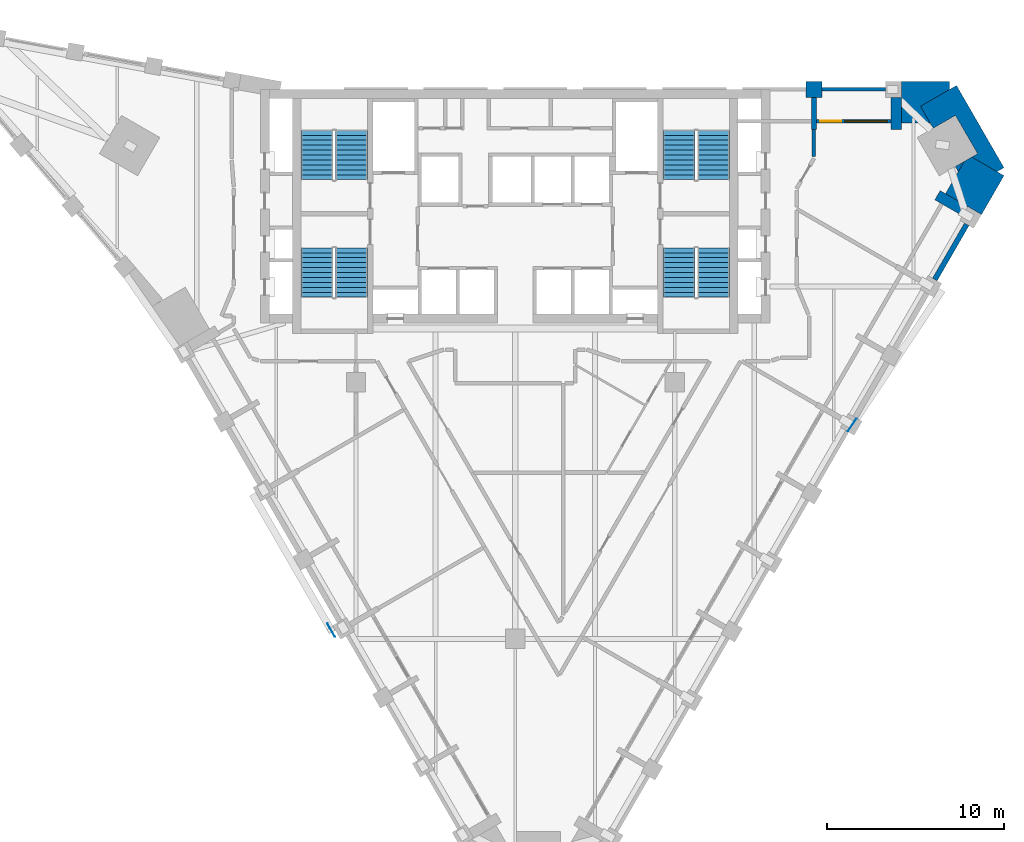
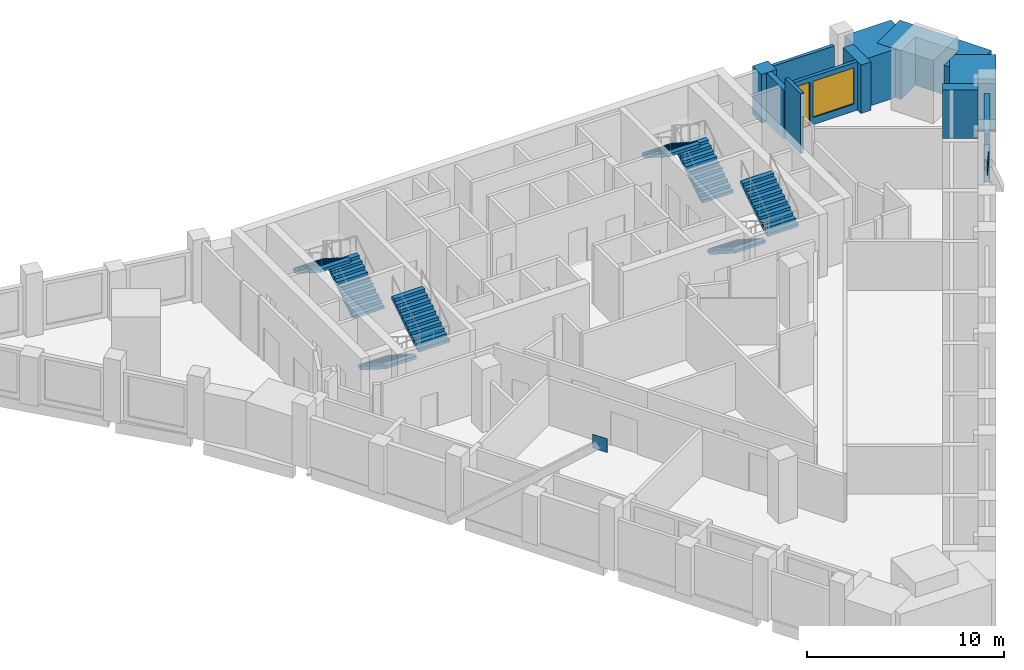
# One storey, part 8 of 9: 12 walls, 8 stair flights, 2 discrete accessories, 1 door, 1 window, 2 openings, 4 elements without a shape of their own.
"""IFC4 building model written with IfcOpenShell, lengths in metres."""

from ifc_helpers import new_model, si_unit, direction, frame, frame_2d, origin, origin_2d, place, context, subcontext, project, spatial, polyline, rectangle, outline, extrude, faceted_brep, source, transform, mapped, material, layer, layer_set, type_object, element, fill, aggregate, save


model = new_model("IFC4")

# Units and contexts
model_context = context("Model", 3, precision=1e-05, world=origin(), true_north=direction((0.0, 1.0)))
body_context = subcontext(model_context, "Body", "Model", "MODEL_VIEW")
ifc_project = project(units=[si_unit("LENGTHUNIT", "METRE"), si_unit("AREAUNIT", "SQUARE_METRE"), si_unit("VOLUMEUNIT", "CUBIC_METRE"), si_unit("PLANEANGLEUNIT", "RADIAN"), si_unit("MASSUNIT", "GRAM", prefix="KILO")], contexts=[model_context])

# Site, building, storey
site_placement = place(None, origin())
site = spatial("IfcSite", under=ifc_project, at=site_placement, CompositionType="ELEMENT")
building_placement = place(site_placement, origin())
building = spatial("IfcBuilding", under=site, at=building_placement, Name="Calabash Gate Tower", CompositionType="ELEMENT")
storey_placement = place(building_placement, frame((0.0, 0.0, 204.199951171875)))
storey = spatial("IfcBuildingStorey", under=building, at=storey_placement, Name="L48", CompositionType="ELEMENT", Elevation=204.199951171875)

# Walls
ifc_material_1 = material(Name="Terracotta brick masonry, exposed face", Category="masonry")
ifc_layer_1 = layer(ifc_material_1, 2.35009765625)
ifc_layer_set_1 = layer_set([ifc_layer_1], Name="Brick corner mass wall 2350")
wall_type_1 = type_object("IfcWallType", Name="Brick corner mass wall 2350", PredefinedType="SOLIDWALL", material=ifc_layer_set_1)
wall_1_placement = place(storey_placement, origin())
element("IfcWall", 1, at=wall_1_placement, inside=storey, type_object=wall_type_1, Name="Brick corner pier S13 3a", PredefinedType="SOLIDWALL", context=body_context, shape_type="SweptSolid", body=[
    extrude(outline(polyline([(25.370361328125, 14.987060546875), (24.3154296875, 13.159912109375), (26.3505859375, 11.98486328125), (27.61865234375, 14.181396484375), (25.796630859375, 15.233154296875), (25.370361328125, 14.987060546875)])), origin(), (0.0, 0.0, 1.0), 3.0),
])
wall_2_placement = place(storey_placement, origin())
element("IfcWall", 2, at=wall_2_placement, inside=storey, type_object=wall_type_1, Name="Brick corner pier S13 3ba", PredefinedType="SOLIDWALL", context=body_context, shape_type="SweptSolid", body=[
    extrude(outline(polyline([(25.03515625, 14.40625), (25.370361328125, 14.987060546875), (24.867431640625, 14.69677734375), (25.03515625, 14.40625)])), origin(), (0.0, 0.0, 1.0), 3.0),
])
wall_3_placement = place(storey_placement, origin())
element("IfcWall", 3, at=wall_3_placement, inside=storey, type_object=wall_type_1, Name="Brick corner pier S13 3bb", PredefinedType="SOLIDWALL", context=body_context, shape_type="SweptSolid", body=[
    extrude(outline(polyline([(22.901123046875, 18.1025390625), (23.617431640625, 16.86181640625), (24.87451171875, 17.587646484375), (26.12451171875, 15.42236328125), (25.796630859375, 15.233154296875), (27.22900390625, 14.40625), (27.61865234375, 14.63134765625), (24.936279296875, 19.277587890625), (22.901123046875, 18.1025390625)])), origin(), (0.0, 0.0, 1.0), 3.0),
])
wall_4_placement = place(storey_placement, origin())
element("IfcWall", 4, at=wall_4_placement, inside=storey, type_object=wall_type_1, Name="Brick corner pier S13 3c", PredefinedType="SOLIDWALL", context=body_context, shape_type="SweptSolid", body=[
    extrude(outline(polyline([(21.827880859375, 18.60302734375), (21.827880859375, 17.152587890625), (23.449462890625, 17.152587890625), (22.901123046875, 18.1025390625), (24.54638671875, 19.052490234375), (24.54638671875, 19.50244140625), (21.827880859375, 19.50244140625), (21.827880859375, 18.60302734375), (21.827880859375, 18.60302734375)])), origin(), (0.0, 0.0, 1.0), 3.0),
])
ifc_material_2 = material(Name="Terracotta brick masonry, exposed face", Category="masonry")
ifc_layer_2 = layer(ifc_material_2, 0.89990234375)
ifc_layer_set_2 = layer_set([ifc_layer_2], Name="Brick end wall 900")
wall_type_2 = type_object("IfcWallType", Name="Brick end wall 900", PredefinedType="SOLIDWALL", material=ifc_layer_set_2)
wall_5_placement = place(storey_placement, origin())
element("IfcWall", 5, at=wall_5_placement, inside=storey, type_object=wall_type_2, Name="Brick pier S13 N4.1", PredefinedType="SOLIDWALL", context=body_context, shape_type="SweptSolid", body=[
    extrude(outline(polyline([(17.327880859375, 19.50244140625), (16.427734375, 19.50244140625), (16.427734375, 18.6025390625), (17.327880859375, 18.6025390625), (17.327880859375, 19.50244140625)])), origin(), (0.0, 0.0, 1.0), 3.0),
])
ifc_material_3 = material(Name="Terracotta brick masonry, exposed face", Category="masonry")
ifc_layer_3 = layer(ifc_material_3, 0.300048828125)
ifc_layer_set_3 = layer_set([ifc_layer_3], Name="Brick infill panel wall 300")
wall_type_3 = type_object("IfcWallType", Name="Brick infill panel wall 300", PredefinedType="SOLIDWALL", material=ifc_layer_set_3)
wall_6_placement = place(storey_placement, frame((23.7109375, 8.312744140625, 0.0), z_axis=(0.0, 0.0, 1.0), x_axis=(0.500012057535, 0.866018442252, 0.0)))
element("IfcWall", 6, at=wall_6_placement, inside=storey, type_object=wall_type_3, Name="Brick panel S13 SE2.9", PredefinedType="SOLIDWALL", context=body_context, shape_type="SweptSolid", body=[
    extrude(rectangle(XDim=3.60009765625, YDim=0.300048828125, at=frame_2d((1.800048828125, 0.0))), origin(), (0.0, 0.0, 1.0), 3.0),
])
ifc_material_4 = material(Name="Terracotta brick masonry, exposed face", Category="masonry")
ifc_layer_4 = layer(ifc_material_4, 0.300048828125)
ifc_layer_set_4 = layer_set([ifc_layer_4], Name="Brick loggia cheek wall 300")
wall_type_4 = type_object("IfcWallType", Name="Brick loggia cheek wall 300", PredefinedType="SOLIDWALL", material=ifc_layer_set_4)
wall_7_placement = place(storey_placement, frame((25.421142578125, 12.175048828125, 0.0), z_axis=(0.0, 0.0, 1.0), x_axis=(-0.865989075817, 0.500062916607, 0.0)))
element("IfcWall", 7, at=wall_7_placement, inside=storey, type_object=wall_type_4, Name="Loggia cheek S13 SE2.9", PredefinedType="SOLIDWALL", context=body_context, shape_type="SweptSolid", body=[
    extrude(rectangle(XDim=1.800048828125, YDim=0.60009765625, at=frame_2d((0.89990234375, 0.0))), origin(), (0.0, 0.0, 1.0), 3.0),
])
wall_8_placement = place(storey_placement, origin())
element("IfcWall", 8, at=wall_8_placement, inside=storey, type_object=wall_type_4, Name="Loggia cheek S13 N4.0", PredefinedType="SOLIDWALL", context=body_context, shape_type="SweptSolid", body=[
    extrude(outline(polyline([(21.827880859375, 16.802490234375), (21.827880859375, 18.6025390625), (21.227783203125, 18.6025390625), (21.227783203125, 16.802490234375), (21.827880859375, 16.802490234375)])), origin(), (0.0, 0.0, 1.0), 3.0),
])
wall_9_placement = place(storey_placement, origin())
element("IfcWall", 9, at=wall_9_placement, inside=storey, type_object=wall_type_4, Name="Loggia cheek S13 N4.1", PredefinedType="SOLIDWALL", context=body_context, shape_type="SweptSolid", body=[
    extrude(outline(polyline([(17.02783203125, 18.6025390625), (16.727783203125, 18.6025390625), (16.727783203125, 16.802490234375), (17.02783203125, 16.802490234375), (17.02783203125, 18.6025390625)])), origin(), (0.0, 0.0, 1.0), 3.0),
])
ifc_material_5 = material(Name="Gypsum board on steel studs, mineral wool", Category="steel")
ifc_layer_5 = layer(ifc_material_5, 0.199951171875)
ifc_layer_set_5 = layer_set([ifc_layer_5], Name="Partition 200 gypsum board EI 60")
wall_type_5 = type_object("IfcWallType", Name="Partition 200 gypsum board EI 60", PredefinedType="PARTITIONING", material=ifc_layer_set_5)
wall_10_placement = place(storey_placement, frame((16.878173828125, 15.252197265625, 0.0), z_axis=(0.0, 0.0, 1.0), x_axis=(0.000157480313, 0.9999999876, 0.0)))
element("IfcWall", 10, at=wall_10_placement, inside=storey, type_object=wall_type_5, Name="Partition", PredefinedType="PARTITIONING", context=body_context, shape_type="SweptSolid", body=[
    extrude(rectangle(XDim=1.55029296875, YDim=0.199951171875, at=frame_2d((0.775146484375, 0.0))), origin(), (0.0, 0.0, 1.0), 3.72998046875),
])
ifc_material_6 = material(Name="Terracotta brick masonry, perforated", Category="masonry")
ifc_layer_6 = layer(ifc_material_6, 0.199951171875)
ifc_layer_set_6 = layer_set([ifc_layer_6], Name="Terracotta jaali screen A")
wall_type_6 = type_object("IfcWallType", Name="Terracotta jaali screen A", PredefinedType="SOLIDWALL", material=ifc_layer_set_6)
wall_11_placement = place(storey_placement, frame((20.927734375, 19.052490234375, 0.0), z_axis=(0.0, 0.0, 1.0), x_axis=(-1.0, 0.0, 0.0)))
element("IfcWall", 11, at=wall_11_placement, inside=storey, type_object=wall_type_6, Name="SCREEN A S13 N4.1", PredefinedType="SOLIDWALL", context=body_context, shape_type="SweptSolid", body=[
    extrude(rectangle(XDim=3.599853515625, YDim=0.199951171875, at=frame_2d((1.7998046875, 0.0))), origin(), (0.0, 0.0, 1.0), 3.0),
])

# Wall, openings, door, window
ifc_material_7 = material(Name="Aluminium framed window wall with insulated spandrel", Category="aluminium")
ifc_layer_7 = layer(ifc_material_7, 0.199951171875)
ifc_layer_set_7 = layer_set([ifc_layer_7], Name="Window wall 200")
wall_type_7 = type_object("IfcWallType", Name="Window wall 200", PredefinedType="ELEMENTEDWALL", material=ifc_layer_set_7)
wall_12_placement = place(storey_placement, frame((21.227783203125, 17.25244140625, 0.0), z_axis=(0.0, 0.0, 1.0), x_axis=(-1.0, 0.0, 0.0)))
wall_12 = element("IfcWall", 12, at=wall_12_placement, inside=storey, type_object=wall_type_7, Name="Window wall S13 N4.1", PredefinedType="ELEMENTEDWALL", context=body_context, shape_type="SweptSolid", body=[
    extrude(rectangle(XDim=4.199951171875, YDim=0.199951171875, at=frame_2d((2.10009765625, 0.0))), origin(), (0.0, 0.0, 1.0), 3.0),
])
opening_1_placement = place(wall_12_placement, frame((0.199951171875, 0.0, 0.449951171875)))
opening_1 = element("IfcOpeningElement", 13, at=opening_1_placement, cuts=wall_12, Name="Opening OW1", PredefinedType="OPENING", context=body_context, shape_type="SweptSolid", body=[
    extrude(rectangle(XDim=2.39990234375, YDim=2.25, at=frame_2d((1.199951171875, 1.125))), frame((0.0, 0.10986328125, 0.0), z_axis=(0.0, -1.0, 0.0), x_axis=(1.0, 0.0, 0.0)), (0.0, 0.0, 1.0), 0.219970703125),
])
opening_2_placement = place(wall_12_placement, frame((2.800048828125, 0.0, 0.0)))
opening_2 = element("IfcOpeningElement", 14, at=opening_2_placement, cuts=wall_12, Name="Opening O5-022", PredefinedType="OPENING", context=body_context, shape_type="SweptSolid", body=[
    extrude(rectangle(XDim=1.199951171875, YDim=2.699951171875, at=frame_2d((0.60009765625, 1.35009765625))), frame((0.0, 0.10986328125, 0.0), z_axis=(0.0, -1.0, 0.0), x_axis=(1.0, 0.0, 0.0)), (0.0, 0.0, 1.0), 0.219970703125),
])
ifc_material_8 = material(Name="Anodised aluminium frame, bronze finish, impact-rated laminated clear glazing", Category="aluminium")
door_type = type_object("IfcDoorType", Name="Loggia door DO1 1200x2700", OperationType="SLIDING_TO_LEFT", PredefinedType="DOOR", material=ifc_material_8)
door_placement = place(opening_2_placement, origin())
door = element("IfcDoor", 15, at=door_placement, inside=storey, type_object=door_type, Name="Loggia door S13 N4.1", OperationType="SINGLE_SWING_LEFT", OverallHeight=2.699951171875, OverallWidth=1.199951171875, PredefinedType="DOOR", context=body_context, shape_type="SweptSolid", body=[
    extrude(rectangle(XDim=1.199951171875, YDim=2.699951171875, at=frame_2d((0.60009765625, 1.35009765625))), frame((0.0, 0.02490234375, 0.0), z_axis=(0.0, -1.0, 0.0), x_axis=(1.0, 0.0, 0.0)), (0.0, 0.0, 1.0), 0.050048828125),
])
fill(opening_2, door)
ifc_material_9 = material(Name="Anodised aluminium frame, bronze finish, impact-rated laminated clear glazing", Category="aluminium")
window_type = type_object("IfcWindowType", Name="Window OW1 2400x2250", PartitioningType="DOUBLE_PANEL_VERTICAL", PredefinedType="WINDOW", material=ifc_material_9)
window_placement = place(opening_1_placement, origin())
window = element("IfcWindow", 16, at=window_placement, inside=storey, type_object=window_type, Name="Window OW1 S13 N4.1", OverallHeight=2.25, OverallWidth=2.39990234375, PartitioningType="SINGLE_PANEL", PredefinedType="WINDOW", context=body_context, shape_type="SweptSolid", body=[
    extrude(rectangle(XDim=2.39990234375, YDim=2.25, at=frame_2d((1.199951171875, 1.125))), frame((0.0, 0.030029296875, 0.0), z_axis=(0.0, -1.0, 0.0), x_axis=(1.0, 0.0, 0.0)), (0.0, 0.0, 1.0), 0.06005859375),
])
fill(opening_1, window)

# Stair, stair flights
ifc_material_10 = material(Name="Concrete C40/50", Category="concrete")
stair_type = type_object("IfcStairType", Name="Exit stair 22 risers of 177.3 mm", PredefinedType="HALF_TURN_STAIR", material=ifc_material_10)
stair_1_placement = place(storey_placement, origin())
stair_1 = element("IfcStair", 17, at=stair_1_placement, inside=storey, type_object=stair_type, Name="L48 Exit stair ST1", PredefinedType="HALF_TURN_STAIR")
ifc_material_11 = material(Name="Concrete C40/50", Category="concrete")
stair_flight_type = type_object("IfcStairFlightType", Name="Exit stair flight SFL", PredefinedType="STRAIGHT", material=ifc_material_11)
shared_shape = source(origin(), body_context, "Body", "Brep", [
    faceted_brep([(-0.0009765625, -0.89990234375, 0.0), (0.279541015625, -0.89990234375, 0.0), (2.791015625, -0.89990234375, 1.59521484375), (-0.0009765625, 0.89990234375, 0.0), (2.791015625, 0.89990234375, 1.59521484375), (0.279541015625, 0.89990234375, 0.0), (2.791015625, -0.89990234375, 1.78466796875), (2.7900390625, -0.89990234375, 1.78466796875), (2.7900390625, 0.89990234375, 1.78466796875), (2.791015625, 0.89990234375, 1.78466796875), (2.7900390625, -0.89990234375, 1.772705078125), (2.7900390625, 0.89990234375, 1.772705078125), (2.510986328125, -0.89990234375, 1.772705078125), (2.510986328125, 0.89990234375, 1.772705078125), (2.510986328125, -0.89990234375, 1.595458984375), (2.510986328125, 0.89990234375, 1.595458984375), (2.23193359375, -0.89990234375, 1.595458984375), (2.23193359375, 0.89990234375, 1.595458984375), (2.23193359375, -0.89990234375, 1.418212890625), (2.23193359375, 0.89990234375, 1.418212890625), (1.952880859375, -0.89990234375, 1.418212890625), (1.952880859375, -0.89990234375, 1.240966796875), (1.952880859375, 0.89990234375, 1.240966796875), (1.952880859375, 0.89990234375, 1.418212890625), (1.674072265625, -0.89990234375, 1.240966796875), (1.674072265625, -0.89990234375, 1.063720703125), (1.674072265625, 0.89990234375, 1.063720703125), (1.674072265625, 0.89990234375, 1.240966796875), (1.39501953125, -0.89990234375, 1.063720703125), (1.39501953125, -0.89990234375, 0.886474609375), (1.39501953125, 0.89990234375, 0.886474609375), (1.39501953125, 0.89990234375, 1.063720703125), (1.115966796875, -0.89990234375, 0.886474609375), (1.115966796875, -0.89990234375, 0.708984375), (1.115966796875, 0.89990234375, 0.708984375), (1.115966796875, 0.89990234375, 0.886474609375), (0.8369140625, -0.89990234375, 0.708984375), (0.8369140625, -0.89990234375, 0.53173828125), (0.8369140625, 0.89990234375, 0.53173828125), (0.8369140625, 0.89990234375, 0.708984375), (0.55810546875, -0.89990234375, 0.53173828125), (0.55810546875, -0.89990234375, 0.3544921875), (0.55810546875, 0.89990234375, 0.3544921875), (0.55810546875, 0.89990234375, 0.53173828125), (0.279052734375, -0.89990234375, 0.3544921875), (0.279052734375, -0.89990234375, 0.17724609375), (0.279052734375, 0.89990234375, 0.17724609375), (0.279052734375, 0.89990234375, 0.3544921875), (-0.0009765625, -0.89990234375, 0.17724609375), (-0.0009765625, 0.89990234375, 0.17724609375), (0.279541015625, -0.360107421875, 0.0), (2.791015625, -0.360107421875, 1.59521484375), (0.279541015625, 0.0, 0.0), (2.791015625, 0.0, 1.59521484375), (0.279541015625, 0.360107421875, 0.0), (2.791015625, 0.360107421875, 1.59521484375), (2.791015625, -0.360107421875, 1.78466796875), (2.791015625, 0.0, 1.78466796875), (2.791015625, 0.360107421875, 1.78466796875), (2.7900390625, -0.360107421875, 1.78466796875), (2.7900390625, 0.0, 1.78466796875), (2.7900390625, 0.360107421875, 1.78466796875), (2.7900390625, -0.360107421875, 1.772705078125), (2.7900390625, 0.0, 1.772705078125), (2.7900390625, 0.360107421875, 1.772705078125), (2.510986328125, -0.360107421875, 1.772705078125), (2.510986328125, 0.0, 1.772705078125), (2.510986328125, 0.360107421875, 1.772705078125), (2.510986328125, -0.360107421875, 1.595458984375), (2.510986328125, 0.0, 1.595458984375), (2.510986328125, 0.360107421875, 1.595458984375), (2.23193359375, -0.360107421875, 1.595458984375), (2.23193359375, 0.0, 1.595458984375), (2.23193359375, 0.360107421875, 1.595458984375), (2.23193359375, -0.360107421875, 1.418212890625), (2.23193359375, 0.0, 1.418212890625), (2.23193359375, 0.360107421875, 1.418212890625), (1.952880859375, -0.360107421875, 1.418212890625), (1.952880859375, 0.0, 1.418212890625), (1.952880859375, 0.360107421875, 1.418212890625), (1.952880859375, -0.360107421875, 1.240966796875), (1.952880859375, 0.0, 1.240966796875), (1.952880859375, 0.360107421875, 1.240966796875), (1.674072265625, -0.360107421875, 1.240966796875), (1.674072265625, 0.0, 1.240966796875), (1.674072265625, 0.360107421875, 1.240966796875), (1.674072265625, -0.360107421875, 1.063720703125), (1.674072265625, 0.0, 1.063720703125), (1.674072265625, 0.360107421875, 1.063720703125), (1.39501953125, -0.360107421875, 1.063720703125), (1.39501953125, 0.0, 1.063720703125), (1.39501953125, 0.360107421875, 1.063720703125), (1.39501953125, -0.360107421875, 0.886474609375), (1.39501953125, 0.0, 0.886474609375), (1.39501953125, 0.360107421875, 0.886474609375), (1.115966796875, -0.360107421875, 0.886474609375), (1.115966796875, 0.0, 0.886474609375), (1.115966796875, 0.360107421875, 0.886474609375), (1.115966796875, -0.360107421875, 0.708984375), (1.115966796875, 0.0, 0.708984375), (1.115966796875, 0.360107421875, 0.708984375), (0.8369140625, -0.360107421875, 0.708984375), (0.8369140625, 0.0, 0.708984375), (0.8369140625, 0.360107421875, 0.708984375), (0.8369140625, -0.360107421875, 0.53173828125), (0.8369140625, 0.0, 0.53173828125), (0.8369140625, 0.360107421875, 0.53173828125), (0.55810546875, -0.360107421875, 0.53173828125), (0.55810546875, 0.0, 0.53173828125), (0.55810546875, 0.360107421875, 0.53173828125), (0.55810546875, -0.360107421875, 0.3544921875), (0.55810546875, 0.0, 0.3544921875), (0.55810546875, 0.360107421875, 0.3544921875), (0.279052734375, -0.360107421875, 0.3544921875), (0.279052734375, 0.0, 0.3544921875), (0.279052734375, 0.360107421875, 0.3544921875), (0.279052734375, -0.360107421875, 0.17724609375), (0.279052734375, 0.0, 0.17724609375), (0.279052734375, 0.360107421875, 0.17724609375), (-0.0009765625, -0.360107421875, 0.17724609375), (-0.0009765625, 0.0, 0.17724609375), (-0.0009765625, 0.360107421875, 0.17724609375), (-0.0009765625, -0.360107421875, 0.0), (-0.0009765625, 0.0, 0.0), (-0.0009765625, 0.360107421875, 0.0)], [[[0, 1, 2]], [[3, 4, 5]], [[2, 6, 7]], [[4, 8, 9]], [[2, 7, 10]], [[4, 11, 8]], [[2, 10, 12]], [[4, 13, 11]], [[2, 12, 14]], [[4, 15, 13]], [[2, 14, 16]], [[4, 17, 15]], [[2, 16, 18]], [[4, 19, 17]], [[18, 20, 21]], [[19, 22, 23]], [[2, 18, 21]], [[4, 22, 19]], [[21, 24, 25]], [[22, 26, 27]], [[2, 21, 25]], [[4, 26, 22]], [[25, 28, 29]], [[26, 30, 31]], [[2, 25, 29]], [[4, 30, 26]], [[29, 32, 33]], [[30, 34, 35]], [[2, 29, 33]], [[4, 34, 30]], [[33, 36, 37]], [[34, 38, 39]], [[2, 33, 37]], [[4, 38, 34]], [[37, 40, 41]], [[38, 42, 43]], [[2, 37, 41]], [[4, 42, 38]], [[41, 44, 45]], [[42, 46, 47]], [[2, 41, 45]], [[4, 46, 42]], [[0, 2, 45]], [[3, 46, 4]], [[45, 48, 0]], [[46, 3, 49]], [[1, 50, 2]], [[50, 51, 2]], [[50, 52, 51]], [[52, 53, 51]], [[52, 54, 55]], [[52, 55, 53]], [[54, 5, 4]], [[54, 4, 55]], [[2, 51, 6]], [[51, 56, 6]], [[51, 53, 56]], [[53, 57, 56]], [[53, 55, 58]], [[53, 58, 57]], [[55, 4, 9]], [[55, 9, 58]], [[6, 56, 7]], [[56, 59, 7]], [[56, 57, 59]], [[57, 60, 59]], [[57, 58, 61]], [[57, 61, 60]], [[58, 9, 8]], [[58, 8, 61]], [[7, 59, 10]], [[59, 62, 10]], [[59, 60, 62]], [[60, 63, 62]], [[60, 61, 64]], [[60, 64, 63]], [[61, 8, 11]], [[61, 11, 64]], [[10, 62, 12]], [[62, 65, 12]], [[62, 63, 65]], [[63, 66, 65]], [[63, 64, 67]], [[63, 67, 66]], [[64, 11, 13]], [[64, 13, 67]], [[12, 65, 14]], [[65, 68, 14]], [[65, 66, 68]], [[66, 69, 68]], [[66, 67, 70]], [[66, 70, 69]], [[67, 13, 15]], [[67, 15, 70]], [[14, 68, 16]], [[68, 71, 16]], [[68, 69, 71]], [[69, 72, 71]], [[69, 70, 73]], [[69, 73, 72]], [[70, 15, 17]], [[70, 17, 73]], [[16, 71, 18]], [[71, 74, 18]], [[71, 72, 74]], [[72, 75, 74]], [[72, 73, 76]], [[72, 76, 75]], [[73, 17, 19]], [[73, 19, 76]], [[18, 74, 20]], [[74, 77, 20]], [[74, 75, 77]], [[75, 78, 77]], [[75, 76, 79]], [[75, 79, 78]], [[76, 19, 23]], [[76, 23, 79]], [[20, 77, 21]], [[77, 80, 21]], [[77, 78, 80]], [[78, 81, 80]], [[78, 79, 82]], [[78, 82, 81]], [[79, 23, 22]], [[79, 22, 82]], [[21, 80, 24]], [[80, 83, 24]], [[80, 81, 83]], [[81, 84, 83]], [[81, 82, 85]], [[81, 85, 84]], [[82, 22, 27]], [[82, 27, 85]], [[24, 83, 25]], [[83, 86, 25]], [[83, 84, 86]], [[84, 87, 86]], [[84, 85, 88]], [[84, 88, 87]], [[85, 27, 26]], [[85, 26, 88]], [[25, 86, 28]], [[86, 89, 28]], [[86, 87, 89]], [[87, 90, 89]], [[87, 88, 91]], [[87, 91, 90]], [[88, 26, 31]], [[88, 31, 91]], [[28, 89, 29]], [[89, 92, 29]], [[89, 90, 92]], [[90, 93, 92]], [[90, 91, 94]], [[90, 94, 93]], [[91, 31, 30]], [[91, 30, 94]], [[29, 92, 32]], [[92, 95, 32]], [[92, 93, 95]], [[93, 96, 95]], [[93, 94, 97]], [[93, 97, 96]], [[94, 30, 35]], [[94, 35, 97]], [[32, 95, 33]], [[95, 98, 33]], [[95, 96, 98]], [[96, 99, 98]], [[96, 97, 100]], [[96, 100, 99]], [[97, 35, 34]], [[97, 34, 100]], [[33, 98, 36]], [[98, 101, 36]], [[98, 99, 101]], [[99, 102, 101]], [[99, 100, 103]], [[99, 103, 102]], [[100, 34, 39]], [[100, 39, 103]], [[36, 101, 37]], [[101, 104, 37]], [[101, 102, 104]], [[102, 105, 104]], [[102, 103, 106]], [[102, 106, 105]], [[103, 39, 38]], [[103, 38, 106]], [[37, 104, 40]], [[104, 107, 40]], [[104, 105, 107]], [[105, 108, 107]], [[105, 106, 109]], [[105, 109, 108]], [[106, 38, 43]], [[106, 43, 109]], [[40, 107, 41]], [[107, 110, 41]], [[107, 108, 110]], [[108, 111, 110]], [[108, 109, 112]], [[108, 112, 111]], [[109, 43, 42]], [[109, 42, 112]], [[41, 110, 44]], [[110, 113, 44]], [[110, 111, 113]], [[111, 114, 113]], [[111, 112, 115]], [[111, 115, 114]], [[112, 42, 47]], [[112, 47, 115]], [[44, 113, 45]], [[113, 116, 45]], [[113, 114, 116]], [[114, 117, 116]], [[114, 115, 118]], [[114, 118, 117]], [[115, 47, 46]], [[115, 46, 118]], [[45, 116, 48]], [[116, 119, 48]], [[116, 117, 119]], [[117, 120, 119]], [[117, 118, 121]], [[117, 121, 120]], [[118, 46, 49]], [[118, 49, 121]], [[48, 119, 0]], [[119, 122, 0]], [[119, 120, 122]], [[120, 123, 122]], [[120, 121, 124]], [[120, 124, 123]], [[121, 49, 3]], [[121, 3, 124]], [[0, 122, 1]], [[122, 50, 1]], [[122, 123, 50]], [[123, 52, 50]], [[123, 124, 54]], [[123, 54, 52]], [[124, 3, 5]], [[124, 5, 54]]]),
])
stair_flight_1_placement = place(storey_placement, frame((-9.25, 13.95263671875, 0.0), z_axis=(0.0, 0.0, 1.0), x_axis=(0.0, 1.0, 0.0)))
stair_flight_1 = element("IfcStairFlight", 18, at=stair_flight_1_placement, type_object=stair_flight_type, Name="ST1 flight 1", NumberOfRisers=11, NumberOfTreads=10, PredefinedType="STRAIGHT", RiserHeight=0.177272727, TreadLength=0.279, context=body_context, shape_type="MappedRepresentation", body=[
    mapped(shared_shape, transform((0.0, 0.0, 0.0), scale=1.0)),
])
stair_flight_2_placement = place(storey_placement, frame((-11.199951171875, 16.74267578125, 1.949951171875), z_axis=(0.0, 0.0, 1.0), x_axis=(0.0, -1.0, 0.0)))
stair_flight_2 = element("IfcStairFlight", 19, at=stair_flight_2_placement, type_object=stair_flight_type, Name="ST1 flight 2", NumberOfRisers=11, NumberOfTreads=10, PredefinedType="STRAIGHT", RiserHeight=0.177272727, TreadLength=0.279, context=body_context, shape_type="MappedRepresentation", body=[
    mapped(shared_shape, transform((0.0, 0.0, 0.0), scale=1.0)),
])
aggregate(stair_1, [stair_flight_1, stair_flight_2])

stair_2_placement = place(storey_placement, origin())
stair_2 = element("IfcStair", 20, at=stair_2_placement, inside=storey, type_object=stair_type, Name="L48 Exit stair ST2", PredefinedType="HALF_TURN_STAIR")
stair_flight_3_placement = place(storey_placement, frame((-11.199951171875, 10.1025390625, 0.0), z_axis=(0.0, 0.0, 1.0), x_axis=(0.0, -1.0, 0.0)))
stair_flight_3 = element("IfcStairFlight", 21, at=stair_flight_3_placement, type_object=stair_flight_type, Name="ST2 flight 1", NumberOfRisers=11, NumberOfTreads=10, PredefinedType="STRAIGHT", RiserHeight=0.177272727, TreadLength=0.279, context=body_context, shape_type="MappedRepresentation", body=[
    mapped(shared_shape, transform((0.0, 0.0, 0.0), scale=1.0)),
])
stair_flight_4_placement = place(storey_placement, frame((-9.25, 7.3125, 1.949951171875), z_axis=(0.0, 0.0, 1.0), x_axis=(0.0, 1.0, 0.0)))
stair_flight_4 = element("IfcStairFlight", 22, at=stair_flight_4_placement, type_object=stair_flight_type, Name="ST2 flight 2", NumberOfRisers=11, NumberOfTreads=10, PredefinedType="STRAIGHT", RiserHeight=0.177272727, TreadLength=0.279, context=body_context, shape_type="MappedRepresentation", body=[
    mapped(shared_shape, transform((0.0, 0.0, 0.0), scale=1.0)),
])
aggregate(stair_2, [stair_flight_3, stair_flight_4])

stair_3_placement = place(storey_placement, origin())
stair_3 = element("IfcStair", 23, at=stair_3_placement, inside=storey, type_object=stair_type, Name="L48 Exit stair ST3", PredefinedType="HALF_TURN_STAIR")
stair_flight_5_placement = place(storey_placement, frame((11.199951171875, 13.95263671875, 0.0), z_axis=(0.0, 0.0, 1.0), x_axis=(0.0, 1.0, 0.0)))
stair_flight_5 = element("IfcStairFlight", 24, at=stair_flight_5_placement, type_object=stair_flight_type, Name="ST3 flight 1", NumberOfRisers=11, NumberOfTreads=10, PredefinedType="STRAIGHT", RiserHeight=0.177272727, TreadLength=0.279, context=body_context, shape_type="MappedRepresentation", body=[
    mapped(shared_shape, transform((0.0, 0.0, 0.0), scale=1.0)),
])
stair_flight_6_placement = place(storey_placement, frame((9.25, 16.74267578125, 1.949951171875), z_axis=(0.0, 0.0, 1.0), x_axis=(0.0, -1.0, 0.0)))
stair_flight_6 = element("IfcStairFlight", 25, at=stair_flight_6_placement, type_object=stair_flight_type, Name="ST3 flight 2", NumberOfRisers=11, NumberOfTreads=10, PredefinedType="STRAIGHT", RiserHeight=0.177272727, TreadLength=0.279, context=body_context, shape_type="MappedRepresentation", body=[
    mapped(shared_shape, transform((0.0, 0.0, 0.0), scale=1.0)),
])
aggregate(stair_3, [stair_flight_5, stair_flight_6])

stair_4_placement = place(storey_placement, origin())
stair_4 = element("IfcStair", 26, at=stair_4_placement, inside=storey, type_object=stair_type, Name="L48 Exit stair ST4", PredefinedType="HALF_TURN_STAIR")
stair_flight_7_placement = place(storey_placement, frame((9.25, 10.1025390625, 0.0), z_axis=(0.0, 0.0, 1.0), x_axis=(0.0, -1.0, 0.0)))
stair_flight_7 = element("IfcStairFlight", 27, at=stair_flight_7_placement, type_object=stair_flight_type, Name="ST4 flight 1", NumberOfRisers=11, NumberOfTreads=10, PredefinedType="STRAIGHT", RiserHeight=0.177272727, TreadLength=0.279, context=body_context, shape_type="MappedRepresentation", body=[
    mapped(shared_shape, transform((0.0, 0.0, 0.0), scale=1.0)),
])
stair_flight_8_placement = place(storey_placement, frame((11.199951171875, 7.3125, 1.949951171875), z_axis=(0.0, 0.0, 1.0), x_axis=(0.0, 1.0, 0.0)))
stair_flight_8 = element("IfcStairFlight", 28, at=stair_flight_8_placement, type_object=stair_flight_type, Name="ST4 flight 2", NumberOfRisers=11, NumberOfTreads=10, PredefinedType="STRAIGHT", RiserHeight=0.177272727, TreadLength=0.279, context=body_context, shape_type="MappedRepresentation", body=[
    mapped(shared_shape, transform((0.0, 0.0, 0.0), scale=1.0)),
])
aggregate(stair_4, [stair_flight_7, stair_flight_8])

# Discrete accessories
ifc_material_12 = material(Name="Steel ASTM A572 Gr50", Category="steel")
discrete_accessory_type = type_object("IfcDiscreteAccessoryType", Name="Connection plate 25", PredefinedType="BRACKET", material=ifc_material_12)
for number, where, z_axis, x_axis, name in (
    (29, (-10.40576171875, -11.499755859375, 7.375), (0.0, 0.0, 1.0), (0.499999984885, -0.866025412511, 0.0), "Connection plate Mega-brace SW Z4 29 end"),
    (30, (19.038330078125, 0.0986328125, 7.375), (0.0, 0.0, 1.0), (-0.555828343605, -0.831297090363, 0.0), "Connection plate Mega-brace SE Z4 33 end"),
):
    element("IfcDiscreteAccessory", number, at=place(storey_placement, frame(where, z_axis=z_axis, x_axis=x_axis)), inside=storey, type_object=discrete_accessory_type, Name=name, PredefinedType="BRACKET", context=body_context, shape_type="SweptSolid", body=[
        extrude(rectangle(XDim=0.850341796875, YDim=0.02490234375, at=origin_2d()), origin(), (0.0, 0.0, 1.0), 0.850341796875),
    ])

save(model, "model.ifc")
